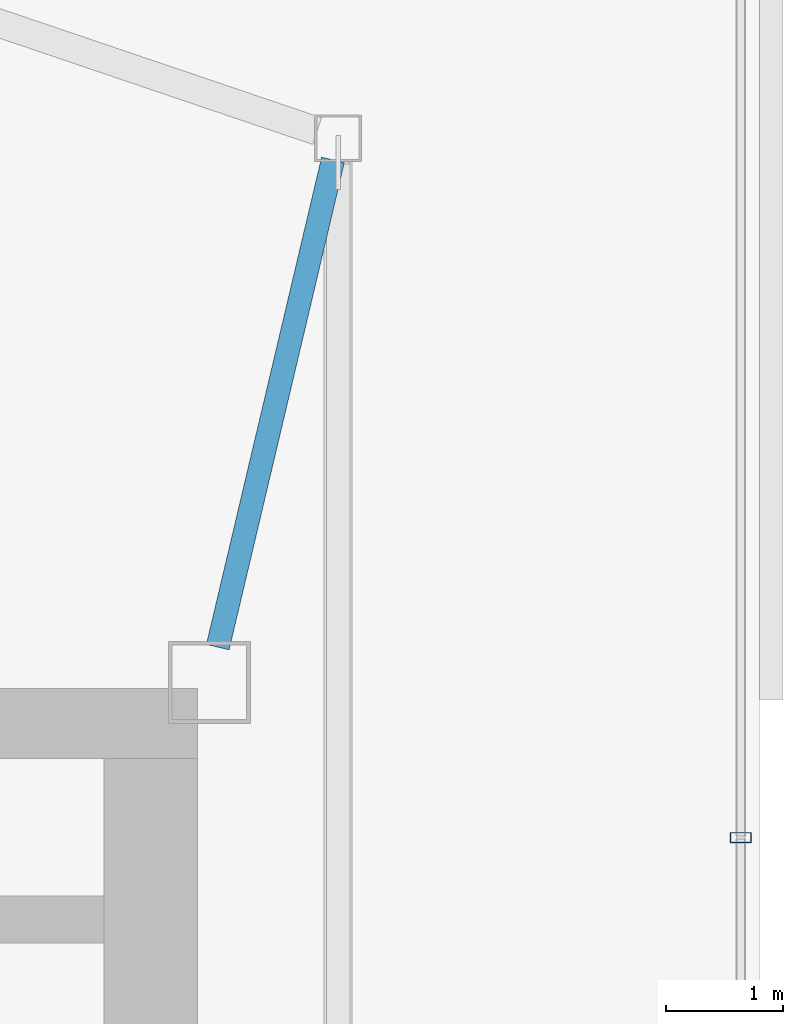
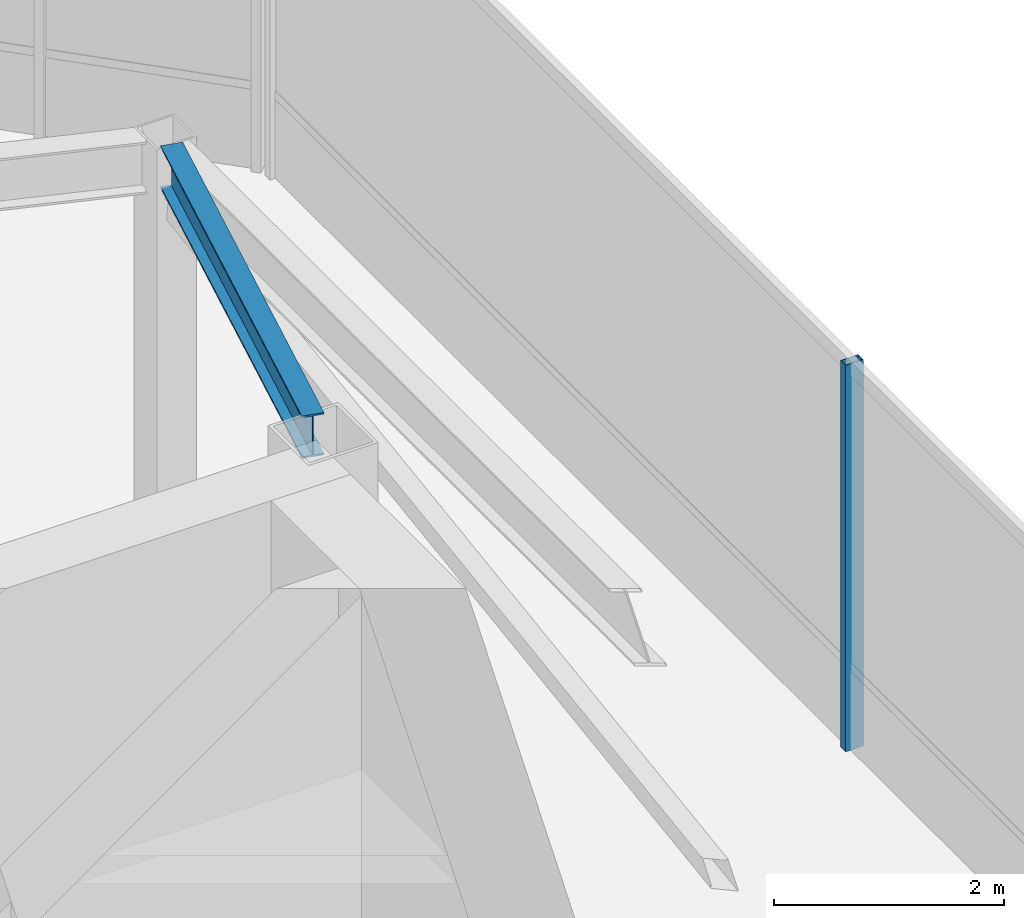
# One storey, part 12 of 22: 1 beam, 1 member, 1 element without a shape of its own.
"""IFC4 building model written with IfcOpenShell, lengths in metres."""

from ifc_helpers import new_model, si_unit, direction, frame, origin, origin_2d, place, context, subcontext, project, spatial, hollow_rectangle, i_section, extrude, material, layer, layer_set, material_profile, profile_set, type_object, element, aggregate, save


model = new_model("IFC4")

# Units and contexts
model_context = context("Model", 3, precision=1e-05, world=origin(), true_north=direction((0.0, 1.0)))
body_context = subcontext(model_context, "Body", "Model", "MODEL_VIEW")
ifc_project = project(units=[si_unit("LENGTHUNIT", "METRE"), si_unit("AREAUNIT", "SQUARE_METRE"), si_unit("VOLUMEUNIT", "CUBIC_METRE"), si_unit("PLANEANGLEUNIT", "RADIAN"), si_unit("MASSUNIT", "GRAM", prefix="KILO")], contexts=[model_context])

# Site, building, storey
site_placement = place(None, origin())
site = spatial("IfcSite", under=ifc_project, at=site_placement, CompositionType="ELEMENT")
building_placement = place(site_placement, origin())
building = spatial("IfcBuilding", under=site, at=building_placement, Name="Tavrogorsk Clinical Tower", CompositionType="ELEMENT")
storey_placement = place(building_placement, frame((0.0, 0.0, 339.800048828125)))
storey = spatial("IfcBuildingStorey", under=building, at=storey_placement, Name="L79", CompositionType="ELEMENT", Elevation=339.800048828125)

# Curtain wall, member
ifc_material_1 = material(Name="Anodised aluminium and triple IGU glazing", Category="aluminium")
ifc_layer = layer(ifc_material_1, 0.179931640625)
ifc_layer_set = layer_set([ifc_layer], Name="Anodised aluminium and triple IGU glazing")
curtain_wall_type = type_object("IfcCurtainWallType", Name="CW6_TmdLantern", PredefinedType="NOTDEFINED", material=ifc_layer_set)
curtain_wall_placement = place(storey_placement, origin())
curtain_wall = element("IfcCurtainWall", 1, at=curtain_wall_placement, inside=storey, type_object=curtain_wall_type, Name="L79 Curtain Wall CW-L79-DRUM-6", PredefinedType="NOTDEFINED")
ifc_material_2 = material(Name="Anodised aluminium alloy AW-6060", Category="aluminium")
ifc_material_profile_1 = material_profile(ifc_material_2, hollow_rectangle(XDim=0.090087890625, YDim=0.179931640625, WallThickness=0.00634765625, at=origin_2d()), Name="RHS-180x90x6.3")
ifc_profile_set_1 = profile_set([ifc_material_profile_1], Name="Anodised aluminium alloy AW-6060")
member_type = type_object("IfcMemberType", Name="CwMullion_180x90", PredefinedType="MULLION", material=ifc_profile_set_1)
member_placement = place(storey_placement, frame((26.639892578125, 5.024658203125, 0.0), z_axis=(0.0, 0.0, 1.0), x_axis=(0.0, -1.0, 0.0)))
member = element("IfcMember", 2, at=member_placement, type_object=member_type, Name="CW-L79-DRUM-6 Mullion 2", PredefinedType="MULLION", context=body_context, shape_type="SweptSolid", body=[
    extrude(hollow_rectangle(XDim=0.090087890625, YDim=0.179931640625, WallThickness=0.00634765625, at=origin_2d()), origin(), (0.0, 0.0, 1.0), 4.099853515625),
])
aggregate(curtain_wall, [member])

# Beam
ifc_material_3 = material(Name="Structural steel S355", Category="steel")
ifc_material_profile_2 = material_profile(ifc_material_3, i_section(OverallWidth=0.199951171875, OverallDepth=0.449951171875, WebThickness=0.011474609375, FlangeThickness=0.01806640625, at=origin_2d()), Name="B-450x200x11.5x18")
ifc_profile_set_2 = profile_set([ifc_material_profile_2], Name="Structural steel S355")
beam_type = type_object("IfcBeamType", Name="FloorBeam_B450", PredefinedType="BEAM", material=ifc_profile_set_2)
beam_placement = place(storey_placement, frame((22.17138671875, 6.651611328125, 3.875), z_axis=(0.230190528398, 0.973145580392, 0.0), x_axis=(-0.973145580392, 0.230190528398, 0.0)))
element("IfcBeam", 3, at=beam_placement, inside=storey, type_object=beam_type, Name="L79 Crown Radial Beam 05", PredefinedType="BEAM", context=body_context, shape_type="SweptSolid", body=[
    extrude(i_section(OverallWidth=0.199951171875, OverallDepth=0.449951171875, WebThickness=0.011474609375, FlangeThickness=0.01806640625, at=origin_2d()), origin(), (0.0, 0.0, 1.0), 4.278564453125),
])

save(model, "model.ifc")
